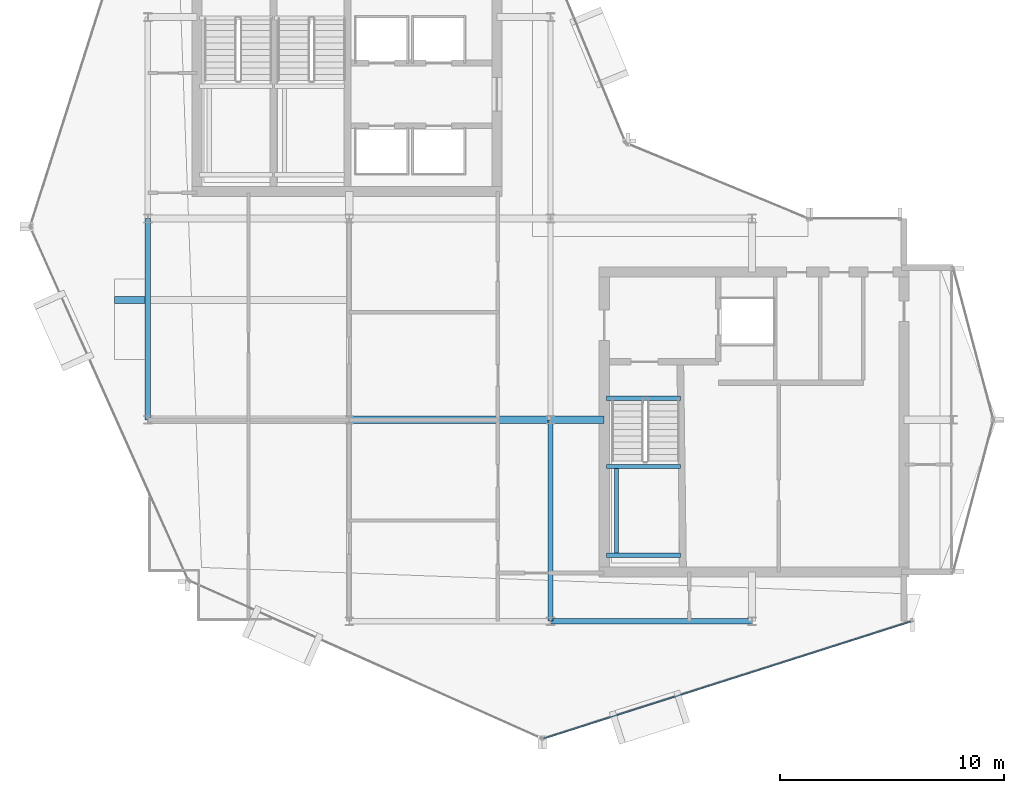
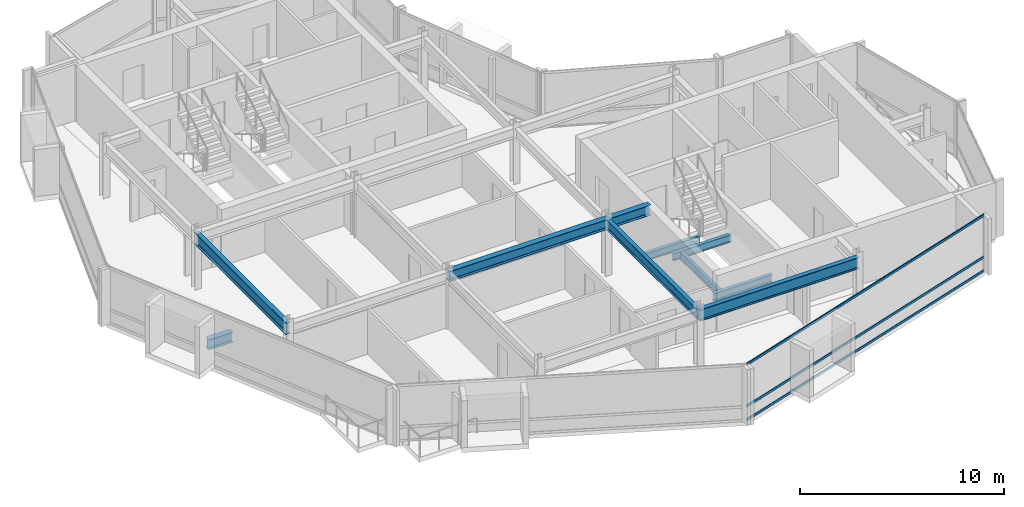
# One storey, part 5 of 19: 10 beams, 3 members, 1 element without a shape of its own.
"""IFC4 building model written with IfcOpenShell, lengths in metres."""

from ifc_helpers import new_model, si_unit, direction, frame, origin, origin_2d, place, context, subcontext, project, spatial, hollow_rectangle, i_section, extrude, material, layer, layer_set, material_profile, profile_set, type_object, element, aggregate, save


model = new_model("IFC4")

# Units and contexts
model_context = context("Model", 3, precision=1e-05, world=origin(), true_north=direction((0.0, 1.0)))
body_context = subcontext(model_context, "Body", "Model", "MODEL_VIEW")
ifc_project = project(units=[si_unit("LENGTHUNIT", "METRE"), si_unit("AREAUNIT", "SQUARE_METRE"), si_unit("VOLUMEUNIT", "CUBIC_METRE"), si_unit("PLANEANGLEUNIT", "RADIAN"), si_unit("MASSUNIT", "GRAM", prefix="KILO")], contexts=[model_context])

# Site, building, storey
site_placement = place(None, origin())
site = spatial("IfcSite", under=ifc_project, at=site_placement, CompositionType="ELEMENT")
building_placement = place(site_placement, origin())
building = spatial("IfcBuilding", under=site, at=building_placement, Name="Solvaryn Broadcast Tower", CompositionType="ELEMENT")
storey_placement = place(building_placement, frame((0.0, 0.0, 293.699951171875)))
storey = spatial("IfcBuildingStorey", under=building, at=storey_placement, Name="L74", CompositionType="ELEMENT", Elevation=293.699951171875)

# Beams
ifc_material_1 = material(Name="Steel ASTM A992 Grade 50", Category="steel")
ifc_material_profile_1 = material_profile(ifc_material_1, i_section(OverallWidth=0.323974609375, OverallDepth=0.611083984375, WebThickness=0.0126953125, FlangeThickness=0.01904296875, FilletRadius=0.014892578125, at=origin_2d()))
ifc_profile_set_1 = profile_set([ifc_material_profile_1], Name="Steel ASTM A992 Grade 50")
beam_type_1 = type_object("IfcBeamType", Name="BM-B1-W24X104", PredefinedType="BEAM", material=ifc_profile_set_1)
beam_1_placement = place(storey_placement, frame((18.0, 18.0, 3.064453125), z_axis=(1.0, 0.0, 0.0), x_axis=(0.0, 1.0, 0.0)))
element("IfcBeam", 1, at=beam_1_placement, inside=storey, type_object=beam_type_1, Name="L74 Primary Beam X (18-27 @ Y=18)", PredefinedType="BEAM", context=body_context, shape_type="SweptSolid", body=[
    extrude(i_section(OverallWidth=0.323974609375, OverallDepth=0.611083984375, WebThickness=0.0126953125, FlangeThickness=0.01904296875, FilletRadius=0.014892578125, at=origin_2d()), origin(), (0.0, 0.0, 1.0), 9.0),
])
beam_2_placement = place(storey_placement, frame((27.0, 18.0, 3.064453125), z_axis=(1.0, 0.0, 0.0), x_axis=(0.0, 1.0, 0.0)))
element("IfcBeam", 2, at=beam_2_placement, inside=storey, type_object=beam_type_1, Name="L74 Core Tie Beam CTE4", PredefinedType="BEAM", context=body_context, shape_type="SweptSolid", body=[
    extrude(i_section(OverallWidth=0.323974609375, OverallDepth=0.611083984375, WebThickness=0.0126953125, FlangeThickness=0.01904296875, FilletRadius=0.014892578125, at=origin_2d()), origin(), (0.0, 0.0, 1.0), 2.39990234375),
])
ifc_material_2 = material(Name="Steel ASTM A992 Grade 50", Category="steel")
ifc_material_profile_2 = material_profile(ifc_material_2, i_section(OverallWidth=0.22802734375, OverallDepth=0.60791015625, WebThickness=0.01123046875, FlangeThickness=0.017333984375, FilletRadius=0.014892578125, at=origin_2d()))
ifc_profile_set_2 = profile_set([ifc_material_profile_2], Name="Steel ASTM A992 Grade 50")
beam_type_2 = type_object("IfcBeamType", Name="BM-B2-W24X76", PredefinedType="BEAM", material=ifc_profile_set_2)
beam_3_placement = place(storey_placement, frame((27.0, 9.0, 3.066162109375), z_axis=(0.0, 1.0, 0.0), x_axis=(-1.0, 0.0, 0.0)))
element("IfcBeam", 3, at=beam_3_placement, inside=storey, type_object=beam_type_2, Name="L74 Primary Beam Y (9-18 @ X=27)", PredefinedType="BEAM", context=body_context, shape_type="SweptSolid", body=[
    extrude(i_section(OverallWidth=0.22802734375, OverallDepth=0.60791015625, WebThickness=0.01123046875, FlangeThickness=0.017333984375, FilletRadius=0.014892578125, at=origin_2d()), origin(), (0.0, 0.0, 1.0), 9.0),
])
ifc_material_3 = material(Name="Steel ASTM A992 Grade 50", Category="steel")
ifc_material_profile_3 = material_profile(ifc_material_3, i_section(OverallWidth=0.18994140625, OverallDepth=0.45703125, WebThickness=0.009033203125, FlangeThickness=0.014404296875, FilletRadius=0.011962890625, at=origin_2d()))
ifc_profile_set_3 = profile_set([ifc_material_profile_3], Name="Steel ASTM A992 Grade 50")
beam_type_3 = type_object("IfcBeamType", Name="BM-B4-W18X50", PredefinedType="BEAM", material=ifc_profile_set_3)
for number, where, z_axis, x_axis, name in (
    (4, (29.5, 18.9599609375, -0.508544921875), (1.0, 0.0, 0.0), (0.0, 1.0, 0.0), "L74 ST3 Stair Well Trimmer Beam"),
    (5, (29.5, 11.949951171875, 1.421630859375), (1.0, 0.0, 0.0), (0.0, 1.0, 0.0), "L74 ST3 Landing Support Beam 1A"),
    (6, (29.5, 15.909912109375, 1.421630859375), (1.0, 0.0, 0.0), (0.0, 1.0, 0.0), "L74 ST3 Landing Support Beam 1B"),
):
    element("IfcBeam", number, at=place(storey_placement, frame(where, z_axis=z_axis, x_axis=x_axis)), inside=storey, type_object=beam_type_3, Name=name, PredefinedType="BEAM", context=body_context, shape_type="SweptSolid", body=[
        extrude(i_section(OverallWidth=0.18994140625, OverallDepth=0.45703125, WebThickness=0.009033203125, FlangeThickness=0.014404296875, FilletRadius=0.011962890625, at=origin_2d()), origin(), (0.0, 0.0, 1.0), 3.320068359375),
    ])
beam_4_placement = place(storey_placement, frame((29.949951171875, 11.949951171875, 1.421630859375), z_axis=(0.0, 1.0, 0.0), x_axis=(-1.0, 0.0, 0.0)))
element("IfcBeam", 7, at=beam_4_placement, inside=storey, type_object=beam_type_3, Name="L74 ST3 Landing Cross Stringer 1C", PredefinedType="BEAM", context=body_context, shape_type="SweptSolid", body=[
    extrude(i_section(OverallWidth=0.18994140625, OverallDepth=0.45703125, WebThickness=0.009033203125, FlangeThickness=0.014404296875, FilletRadius=0.011962890625, at=origin_2d()), origin(), (0.0, 0.0, 1.0), 3.9599609375),
])
ifc_material_4 = material(Name="Steel ASTM A992 Grade 50", Category="steel")
ifc_material_profile_4 = material_profile(ifc_material_4, i_section(OverallWidth=0.323974609375, OverallDepth=0.611083984375, WebThickness=0.0126953125, FlangeThickness=0.01904296875, FilletRadius=0.014892578125, at=origin_2d()))
ifc_profile_set_4 = profile_set([ifc_material_profile_4], Name="Steel ASTM A992 Grade 50")
beam_type_4 = type_object("IfcBeamType", Name="BM-CANT-TER", PredefinedType="BEAM", material=ifc_profile_set_4)
beam_5_placement = place(storey_placement, frame((8.875, 23.35009765625, -0.58544921875), z_axis=(-1.0, 0.0, 0.0), x_axis=(0.0, -1.0, 0.0)))
element("IfcBeam", 8, at=beam_5_placement, inside=storey, type_object=beam_type_4, Name="L74 Bay-Box Cantilever Bracket 1", PredefinedType="BEAM", context=body_context, shape_type="SweptSolid", body=[
    extrude(i_section(OverallWidth=0.323974609375, OverallDepth=0.611083984375, WebThickness=0.0126953125, FlangeThickness=0.01904296875, FilletRadius=0.014892578125, at=origin_2d()), origin(), (0.0, 0.0, 1.0), 1.375),
])
ifc_material_5 = material(Name="Steel ASTM A992 Grade 50", Category="steel")
ifc_material_profile_5 = material_profile(ifc_material_5, i_section(OverallWidth=0.256103515625, OverallDepth=0.693115234375, WebThickness=0.014404296875, FlangeThickness=0.023681640625, FilletRadius=0.01611328125, at=origin_2d()))
ifc_profile_set_5 = profile_set([ifc_material_profile_5], Name="Steel ASTM A992 Grade 50")
beam_type_5 = type_object("IfcBeamType", Name="BM-SP3-W27X114", PredefinedType="USERDEFINED", material=ifc_profile_set_5)
for number, where, z_axis, x_axis, name in (
    (9, (27.0, 9.0, 3.0234375), (1.0, 0.0, 0.0), (0.0, 1.0, 0.0), "L74 Spandrel Beam X (27-36 @ Y=9)"),
    (10, (9.0, 18.0, 3.0234375), (0.0, 1.0, 0.0), (-1.0, 0.0, 0.0), "L74 Spandrel Beam Y (18-27 @ X=9)"),
):
    element("IfcBeam", number, at=place(storey_placement, frame(where, z_axis=z_axis, x_axis=x_axis)), inside=storey, type_object=beam_type_5, Name=name, ObjectType="SPANDREL", PredefinedType="USERDEFINED", context=body_context, shape_type="SweptSolid", body=[
        extrude(i_section(OverallWidth=0.256103515625, OverallDepth=0.693115234375, WebThickness=0.014404296875, FlangeThickness=0.023681640625, FilletRadius=0.01611328125, at=origin_2d()), origin(), (0.0, 0.0, 1.0), 9.0),
    ])

# Curtain wall, members
ifc_material_6 = material(Name="Aluminium and Terracotta Unitised Curtain Wall", Category="masonry")
ifc_layer = layer(ifc_material_6, 0.199951171875)
ifc_layer_set = layer_set([ifc_layer], Name="CW-SYS2-LOWMID")
curtain_wall_type = type_object("IfcCurtainWallType", Name="CW-SYS2-LOWMID", PredefinedType="NOTDEFINED", material=ifc_layer_set)
curtain_wall_placement = place(storey_placement, origin())
curtain_wall = element("IfcCurtainWall", 11, at=curtain_wall_placement, inside=storey, type_object=curtain_wall_type, Name="L74 Curtain Wall DR4", PredefinedType="NOTDEFINED")
ifc_material_7 = material(Name="Anodised Aluminium 6063-T6", Category="aluminium")
ifc_material_profile_6 = material_profile(ifc_material_7, hollow_rectangle(XDim=0.06494140625, YDim=0.14990234375, WallThickness=0.00390625, InnerFilletRadius=0.00390625, OuterFilletRadius=0.008056640625, at=origin_2d()))
ifc_profile_set_6 = profile_set([ifc_material_profile_6], Name="Anodised Aluminium 6063-T6")
member_type = type_object("IfcMemberType", Name="CW-TRN-150", PredefinedType="USERDEFINED", material=ifc_profile_set_6)
member_1_placement = place(storey_placement, frame((26.693115234375, 3.756103515625, 0.030029296875), z_axis=(0.952794352661, 0.303616405252, 0.0), x_axis=(-0.303616405252, 0.952794352661, 0.0)))
member_1 = element("IfcMember", 12, at=member_1_placement, type_object=member_type, Name="CWS2 transom 1.1", ObjectType="TRANSOM", PredefinedType="USERDEFINED", context=body_context, shape_type="SweptSolid", body=[
    extrude(hollow_rectangle(XDim=0.06494140625, YDim=0.14990234375, WallThickness=0.00390625, InnerFilletRadius=0.00390625, OuterFilletRadius=0.008056640625, at=origin_2d()), origin(), (0.0, 0.0, 1.0), 17.211181640625),
])
member_2_placement = place(storey_placement, frame((26.693115234375, 3.756103515625, 0.85009765625), z_axis=(0.952794352661, 0.303616405252, 0.0), x_axis=(-0.303616405252, 0.952794352661, 0.0)))
member_2 = element("IfcMember", 13, at=member_2_placement, type_object=member_type, Name="CWS2 transom 1.2", ObjectType="TRANSOM", PredefinedType="USERDEFINED", context=body_context, shape_type="SweptSolid", body=[
    extrude(hollow_rectangle(XDim=0.06494140625, YDim=0.14990234375, WallThickness=0.00390625, InnerFilletRadius=0.00390625, OuterFilletRadius=0.008056640625, at=origin_2d()), origin(), (0.0, 0.0, 1.0), 17.211181640625),
])
member_3_placement = place(storey_placement, frame((26.693115234375, 3.756103515625, 3.340087890625), z_axis=(0.952794352661, 0.303616405252, 0.0), x_axis=(-0.303616405252, 0.952794352661, 0.0)))
member_3 = element("IfcMember", 14, at=member_3_placement, type_object=member_type, Name="CWS2 transom 1.3", ObjectType="TRANSOM", PredefinedType="USERDEFINED", context=body_context, shape_type="SweptSolid", body=[
    extrude(hollow_rectangle(XDim=0.06494140625, YDim=0.14990234375, WallThickness=0.00390625, InnerFilletRadius=0.00390625, OuterFilletRadius=0.008056640625, at=origin_2d()), origin(), (0.0, 0.0, 1.0), 17.211181640625),
])
aggregate(curtain_wall, [member_1, member_2, member_3])

save(model, "model.ifc")
